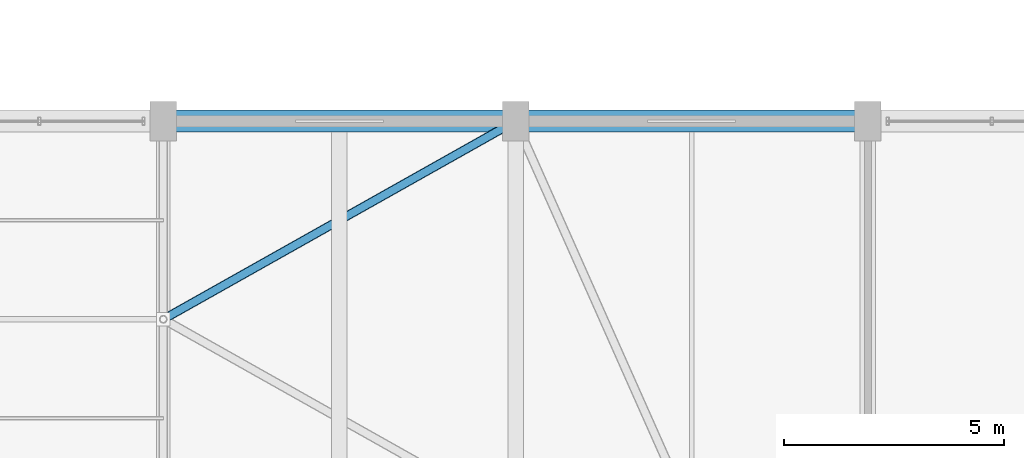
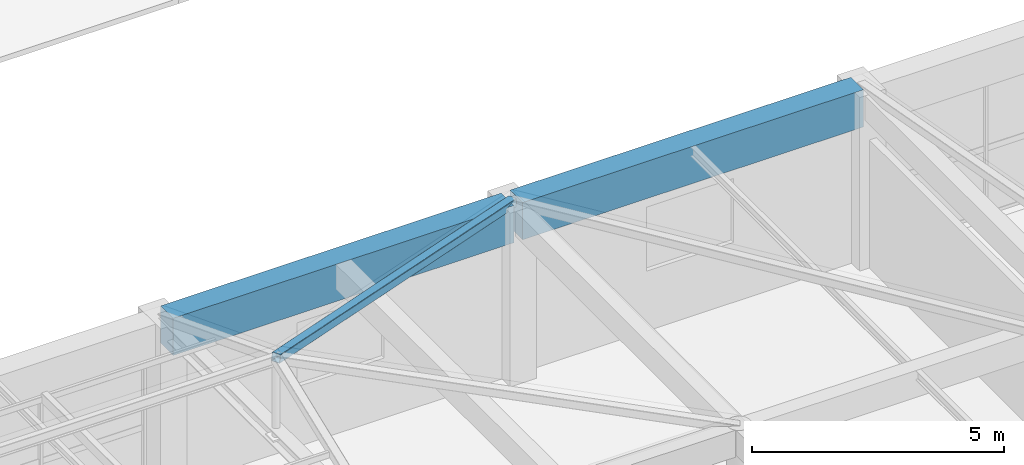
# One storey, part 47 of 65: 2 beams, 1 member.
"""IFC4 building model written with IfcOpenShell, lengths in metres."""

from ifc_helpers import new_model, si_unit, direction, frame, origin, origin_2d, place, context, subcontext, project, spatial, rectangle, hollow_rectangle, extrude, material, material_profile, profile_set, type_object, element, save


model = new_model("IFC4")

# Units and contexts
model_context = context("Model", 3, precision=1e-05, world=origin(), true_north=direction((0.0, 1.0)))
body_context = subcontext(model_context, "Body", "Model", "MODEL_VIEW")
ifc_project = project(units=[si_unit("LENGTHUNIT", "METRE"), si_unit("AREAUNIT", "SQUARE_METRE"), si_unit("VOLUMEUNIT", "CUBIC_METRE"), si_unit("PLANEANGLEUNIT", "RADIAN"), si_unit("MASSUNIT", "GRAM", prefix="KILO")], contexts=[model_context])

# Site, building, storey
site_placement = place(None, origin())
site = spatial("IfcSite", under=ifc_project, at=site_placement, CompositionType="ELEMENT")
building_placement = place(site_placement, origin())
building = spatial("IfcBuilding", under=site, at=building_placement, Name="Varnabhumi Central Station", CompositionType="ELEMENT")
storey_placement = place(building_placement, frame((0.0, 0.0, 24.60009765625)))
storey = spatial("IfcBuildingStorey", under=building, at=storey_placement, Name="L05", CompositionType="ELEMENT", Elevation=24.60009765625)

# Beams
ifc_material_1 = material(Name="Concrete M40", Category="concrete")
ifc_material_profile_1 = material_profile(ifc_material_1, rectangle(XDim=0.5, YDim=0.89990234375, at=origin_2d()), Name="Concrete M40", Category="concrete")
ifc_profile_set_1 = profile_set([ifc_material_profile_1], Name="Concrete M40")
beam_type = type_object("IfcBeamType", Name="BM-RC-500x900", PredefinedType="BEAM", material=ifc_profile_set_1)
for number, where, z_axis, x_axis, name in (
    (1, (136.10009765625, 36.0, 3.75), (1.0, 0.0, 0.0), (0.0, 1.0, 0.0), "Beam L05-E:18-19"),
    (2, (144.10009765625, 36.0, 3.75), (1.0, 0.0, 0.0), (0.0, 1.0, 0.0), "Beam L05-E:19-20"),
):
    element("IfcBeam", number, at=place(storey_placement, frame(where, z_axis=z_axis, x_axis=x_axis)), inside=storey, type_object=beam_type, Name=name, PredefinedType="BEAM", context=body_context, shape_type="SweptSolid", body=[
        extrude(rectangle(XDim=0.5, YDim=0.89990234375, at=origin_2d()), origin(), (0.0, 0.0, 1.0), 7.7998046875),
    ])

# Member
ifc_material_2 = material(Name="Structural steel E350", Category="steel")
ifc_material_profile_2 = material_profile(ifc_material_2, hollow_rectangle(XDim=0.199951171875, YDim=0.199951171875, WallThickness=0.010009765625, InnerFilletRadius=0.010009765625, OuterFilletRadius=0.02001953125, at=origin_2d()), Name="Structural steel E350", Category="steel")
ifc_profile_set_2 = profile_set([ifc_material_profile_2], Name="Structural steel E350")
member_type = type_object("IfcMemberType", Name="MBR-RAFT-SHS200", PredefinedType="RAFTER", material=ifc_profile_set_2)
member_placement = place(storey_placement, frame((144.0, 36.0, 4.10986328125), z_axis=(-0.856153773676, -0.481586497693, 0.187283637992), x_axis=(0.490261239633, -0.871575537125, 0.0)))
element("IfcMember", 3, at=member_placement, inside=storey, type_object=member_type, Name="Mission Roof Hip Rafter SW6CN-WN", PredefinedType="RAFTER", context=body_context, shape_type="SweptSolid", body=[
    extrude(hollow_rectangle(XDim=0.199951171875, YDim=0.199951171875, WallThickness=0.010009765625, InnerFilletRadius=0.010009765625, OuterFilletRadius=0.02001953125, at=origin_2d()), origin(), (0.0, 0.0, 1.0), 9.343994140625),
])

save(model, "model.ifc")
